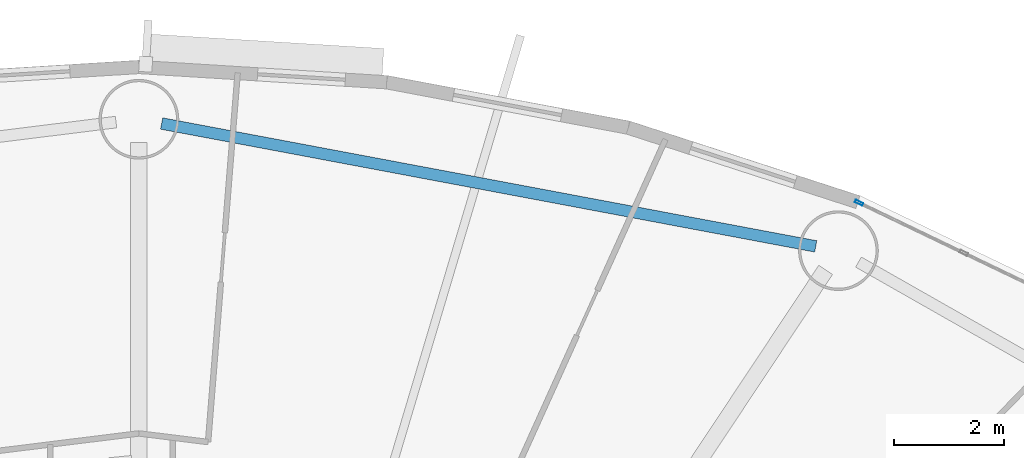
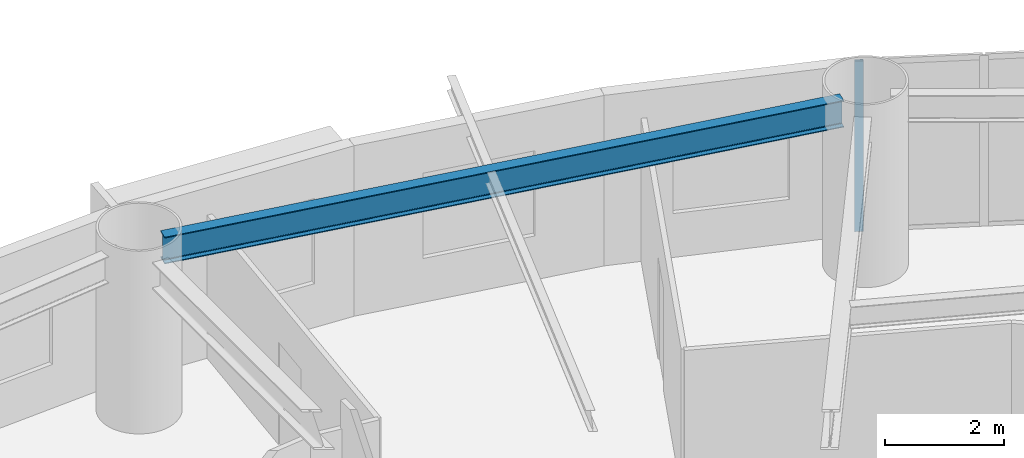
# One storey, part 4 of 16: 1 beam, 1 member, 1 element without a shape of its own.
"""IFC4 building model written with IfcOpenShell, lengths in metres."""

from ifc_helpers import new_model, si_unit, direction, frame, origin, origin_2d, place, context, subcontext, project, spatial, hollow_rectangle, i_section, extrude, source, transform, mapped, material, layer, layer_set, material_profile, profile_set, type_object, element, aggregate, save


model = new_model("IFC4")

# Units and contexts
model_context = context("Model", 3, precision=1e-05, world=origin(), true_north=direction((0.0, 1.0)))
body_context = subcontext(model_context, "Body", "Model", "MODEL_VIEW")
ifc_project = project(units=[si_unit("LENGTHUNIT", "METRE"), si_unit("AREAUNIT", "SQUARE_METRE"), si_unit("VOLUMEUNIT", "CUBIC_METRE"), si_unit("PLANEANGLEUNIT", "RADIAN"), si_unit("MASSUNIT", "GRAM", prefix="KILO")], contexts=[model_context])

# Site, building, storey
site_placement = place(None, origin())
site = spatial("IfcSite", under=ifc_project, at=site_placement, CompositionType="ELEMENT")
building_placement = place(site_placement, origin())
building = spatial("IfcBuilding", under=site, at=building_placement, Name="Linh Dai School and Residence Tower", CompositionType="ELEMENT")
storey_placement = place(building_placement, frame((0.0, 0.0, 138.449951171875)))
storey = spatial("IfcBuildingStorey", under=building, at=storey_placement, Name="L33", CompositionType="ELEMENT", Elevation=138.449951171875)

# Beam
ifc_material_1 = material(Name="Structural Steel S355JR", Category="steel")
ifc_material_profile_1 = material_profile(ifc_material_1, i_section(OverallWidth=0.2099609375, OverallDepth=0.550048828125, WebThickness=0.010986328125, FlangeThickness=0.01708984375, FilletRadius=0.02392578125, at=origin_2d()), Name="IPE 550")
ifc_profile_set_1 = profile_set([ifc_material_profile_1], Name="Structural Steel S355JR")
beam_type = type_object("IfcBeamType", Name="BM-RB55", PredefinedType="BEAM", material=ifc_profile_set_1)
beam_placement = place(storey_placement, frame((48.30908203125, 46.24267578125, 3.22509765625), z_axis=(-0.982807507457, 0.184633158685, 0.0), x_axis=(-0.184633158685, -0.982807507457, 0.0)))
element("IfcBeam", 1, at=beam_placement, inside=storey, type_object=beam_type, Name="L33 Perimeter Elliptical Ring Beam 04", PredefinedType="BEAM", context=body_context, shape_type="SweptSolid", body=[
    extrude(i_section(OverallWidth=0.2099609375, OverallDepth=0.550048828125, WebThickness=0.010986328125, FlangeThickness=0.01708984375, FilletRadius=0.02392578125, at=origin_2d()), origin(), (0.0, 0.0, 1.0), 12.104248046875),
])

# Curtain wall, member
ifc_material_2 = material(Name="Aluminium Anodised Curtain Wall", Category="aluminium")
ifc_layer = layer(ifc_material_2, 0.14990234375)
ifc_layer_set = layer_set([ifc_layer], Name="Aluminium Anodised Curtain Wall")
curtain_wall_type = type_object("IfcCurtainWallType", Name="CW-SYS-4", PredefinedType="USERDEFINED", material=ifc_layer_set)
curtain_wall_placement = place(storey_placement, origin())
curtain_wall = element("IfcCurtainWall", 2, at=curtain_wall_placement, inside=storey, type_object=curtain_wall_type, Name="L33 CW4 Curtain Wall 07", ObjectType="RIBBON CURTAIN WALL", PredefinedType="USERDEFINED")
ifc_material_3 = material(Name="Aluminium Alloy 6063-T6", Category="aluminium")
ifc_material_profile_2 = material_profile(ifc_material_3, hollow_rectangle(XDim=0.052001953125, YDim=0.14990234375, WallThickness=0.00390625, at=origin_2d()), Name="RHS 150x52x4")
ifc_profile_set_2 = profile_set([ifc_material_profile_2], Name="Aluminium Alloy 6063-T6")
member_type = type_object("IfcMemberType", Name="CW-SYS-4-MUL", PredefinedType="MULLION", material=ifc_profile_set_2)
shared_shape = source(origin(), body_context, "Body", "SweptSolid", [
    extrude(hollow_rectangle(XDim=0.052001953125, YDim=0.14990234375, WallThickness=0.00390625, at=origin_2d()), origin(), (0.0, 0.0, 1.0), 3.5),
])
member_placement = place(storey_placement, frame((49.097412109375, 47.0361328125, 0.0), z_axis=(0.0, 0.0, 1.0), x_axis=(0.432617589064, 0.901577518371, 0.0)))
member = element("IfcMember", 3, at=member_placement, type_object=member_type, Name="CW4 mullion 1", PredefinedType="MULLION", context=body_context, shape_type="MappedRepresentation", body=[
    mapped(shared_shape, transform((0.0, 0.0, 0.0), x_axis=(1.0, 0.0, 0.0), y_axis=(0.0, 1.0, 0.0), z_axis=(0.0, 0.0, 1.0), scale=1.0)),
])
aggregate(curtain_wall, [member])

save(model, "model.ifc")
